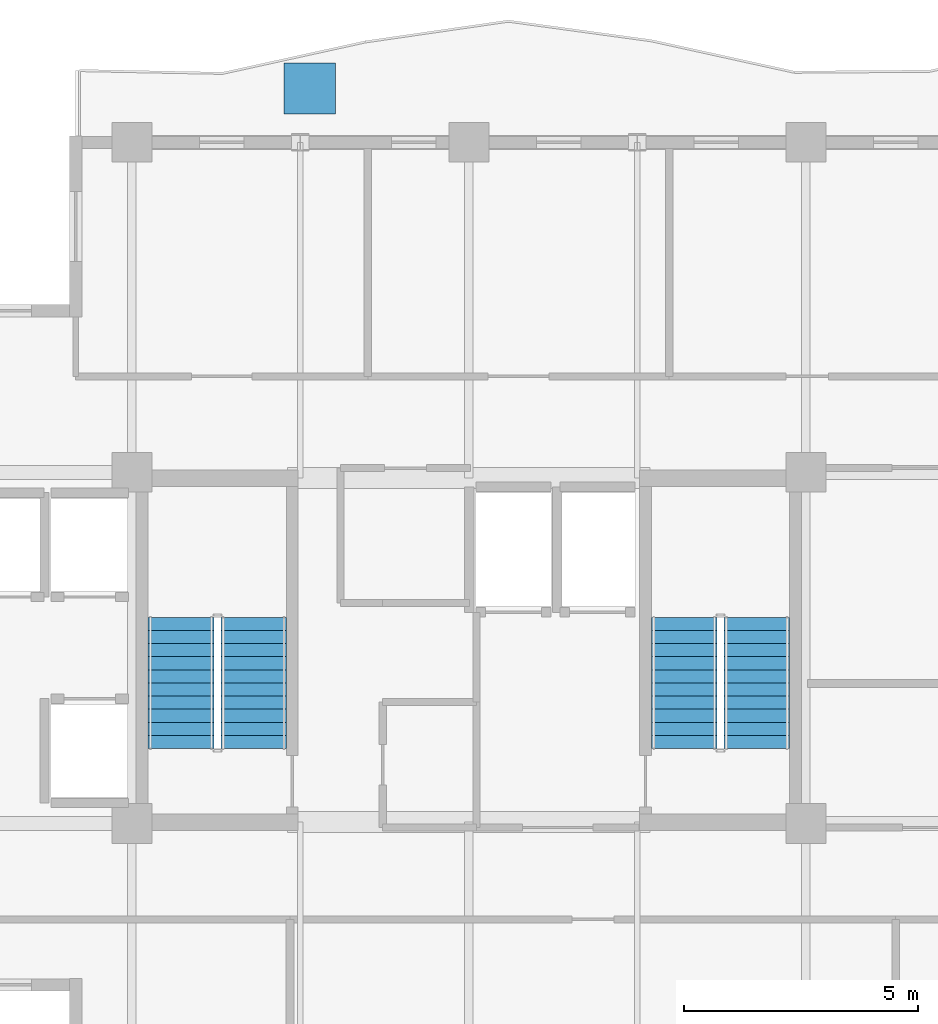
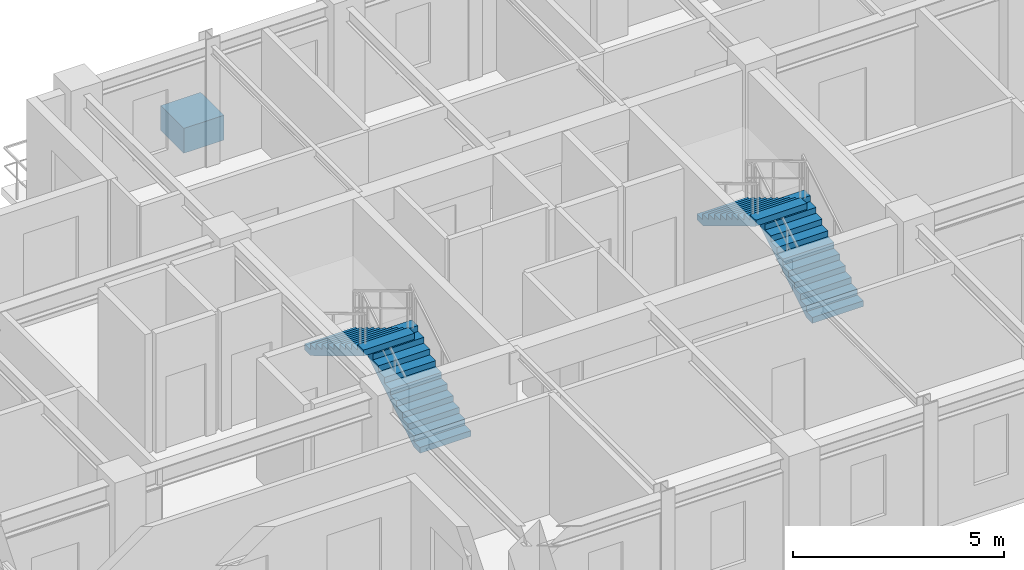
# One storey, part 9 of 10: 4 stair flights, 1 discrete accessory, 2 elements without a shape of their own.
"""IFC4 building model written with IfcOpenShell, lengths in metres."""

import ifcopenshell
import ifcopenshell.guid

model = None  # the IFC model being written
_history = None  # IfcOwnerHistory: only IFC2X3 demands one
_inside = {}  # id of a spatial element -> (the spatial element, [elements in it])
_under = {}  # id of a project, library or spatial element -> (it, [spatial elements below it])
_declared = {}  # id of a project -> (the project, [libraries it declares])
_typed = {}  # id of a type object -> (the type object, [elements of that type])
_made_of = {}  # id of a material, layer set ... -> (it, [elements and type objects made of it])


def new_model(schema):
    """Start an empty IFC model of exactly this schema.

    Asked for "IFC4X3", IfcOpenShell would pick the latest addendum, in which some entities
    have other attributes; the version numbers below select the first issue.
    IFC2X3 requires an IfcOwnerHistory on every rooted entity: one is made here for all.
    """
    global model, _history
    if schema == "IFC4X3":
        model = ifcopenshell.file(schema_version=(4, 3, 0, 0))
    else:
        model = ifcopenshell.file(schema=schema)
    _inside.clear()
    _under.clear()
    _declared.clear()
    _typed.clear()
    _made_of.clear()
    _history = None
    if model.schema == "IFC2X3":
        org = make("IfcOrganization", Name="unknown")
        user = make(
            "IfcPersonAndOrganization",
            ThePerson=make("IfcPerson", FamilyName="unknown"),
            TheOrganization=org,
        )
        app = make(
            "IfcApplication",
            ApplicationDeveloper=org,
            Version="unknown",
            ApplicationFullName="unknown",
            ApplicationIdentifier="unknown",
        )
        _history = make(
            "IfcOwnerHistory",
            OwningUser=user,
            OwningApplication=app,
            ChangeAction="ADDED",
            CreationDate=0,
        )
    return model


def make(cls, **values):
    """One entity of the class cls with the attributes given. An attribute that is None is left unset."""
    return model.create_entity(
        cls, **{name: value for name, value in values.items() if value is not None}
    )


def rooted(cls, **values):
    """An entity with a GlobalId (a new one), such as an element, a storey or a relation."""
    return make(cls, GlobalId=ifcopenshell.guid.new(), OwnerHistory=_history, **values)


def si_unit(unit_type, name, prefix=None):
    """IfcSIUnit, for example si_unit("LENGTHUNIT", "METRE", prefix="MILLI")."""
    return make("IfcSIUnit", UnitType=unit_type, Prefix=prefix, Name=name)


def assignment(units):
    """IfcUnitAssignment: the units of a project."""
    return None if units is None else make("IfcUnitAssignment", Units=units)


def point(xyz):
    """IfcCartesianPoint."""
    return None if xyz is None else make("IfcCartesianPoint", Coordinates=xyz)


def direction(xyz):
    """IfcDirection."""
    return None if xyz is None else make("IfcDirection", DirectionRatios=xyz)


def frame(location, z_axis=None, x_axis=None):
    """IfcAxis2Placement3D, a coordinate frame: its origin and axes. An axis left out is left unset."""
    return make(
        "IfcAxis2Placement3D",
        Location=point(location),
        Axis=direction(z_axis),
        RefDirection=direction(x_axis),
    )


def frame_2d(location, x_axis=None):
    """IfcAxis2Placement2D, a coordinate frame in the plane: its origin and x axis."""
    return make(
        "IfcAxis2Placement2D", Location=point(location), RefDirection=direction(x_axis)
    )


def origin():
    """The frame at (0, 0, 0) with its axes left unset."""
    return frame((0.0, 0.0, 0.0))


def origin_2d():
    """The frame at (0, 0) in the plane with its x axis left unset."""
    return frame_2d((0.0, 0.0))


def place(relative_to, where):
    """IfcLocalPlacement: puts the frame where relative to a parent placement (None: the world)."""
    return make(
        "IfcLocalPlacement", PlacementRelTo=relative_to, RelativePlacement=where
    )


def context(
    kind, dimensions, precision=None, world=None, true_north=None, identifier=None
):
    """IfcGeometricRepresentationContext, for example the 3D "Model" context."""
    return make(
        "IfcGeometricRepresentationContext",
        ContextIdentifier=identifier,
        ContextType=kind,
        CoordinateSpaceDimension=dimensions,
        Precision=precision,
        WorldCoordinateSystem=world,
        TrueNorth=true_north,
    )


def subcontext(parent, identifier, kind, view, scale=None):
    """IfcGeometricRepresentationSubContext, for example "Body" below "Model"."""
    return make(
        "IfcGeometricRepresentationSubContext",
        ContextIdentifier=identifier,
        ContextType=kind,
        ParentContext=parent,
        TargetScale=scale,
        TargetView=view,
    )


def project(units=None, contexts=None):
    """IfcProject with its units and contexts."""
    return rooted(
        "IfcProject",
        Name="project",
        RepresentationContexts=contexts,
        UnitsInContext=assignment(units),
    )


def spatial(cls, under=None, at=None, **own):
    """A site, building, storey or space (cls), placed at a placement, below another one or the project."""
    s = rooted(cls, ObjectPlacement=at, **own)
    if under is not None:
        _under.setdefault(under.id(), (under, []))[1].append(s)
    return s


def polyline(points):
    """IfcPolyline through the points."""
    return make("IfcPolyline", Points=[point(p) for p in points])


def profile(cls, at=None, kind="AREA", **sizes):
    """A parametric profile (cls). Its sizes go by their IFC names, for example OverallWidth=200.0."""
    return make(cls, ProfileType=kind, Position=at, **sizes)


def rectangle(**sizes):
    """IfcRectangleProfileDef."""
    return profile("IfcRectangleProfileDef", **sizes)


def outline(outer, holes=None, kind="AREA"):
    """IfcArbitraryClosedProfileDef: a profile drawn as a closed curve; with holes, ...WithVoids."""
    if holes is None:
        return make("IfcArbitraryClosedProfileDef", ProfileType=kind, OuterCurve=outer)
    return make(
        "IfcArbitraryProfileDefWithVoids",
        ProfileType=kind,
        OuterCurve=outer,
        InnerCurves=holes,
    )


def extrude(swept, where, along, depth):
    """IfcExtrudedAreaSolid: the profile swept, set in the frame where, extruded along a direction by depth."""
    return make(
        "IfcExtrudedAreaSolid",
        SweptArea=swept,
        Position=where,
        ExtrudedDirection=direction(along),
        Depth=depth,
    )


def shape(context_of_items, identifier, shape_type, items):
    """IfcShapeRepresentation: the items that make up one representation, for example the "Body"."""
    return make(
        "IfcShapeRepresentation",
        ContextOfItems=context_of_items,
        RepresentationIdentifier=identifier,
        RepresentationType=shape_type,
        Items=items,
    )


def source(mapping_origin, context_of_items, identifier, shape_type, items):
    """IfcRepresentationMap: a shape defined once, which mapped items show again and again."""
    return make(
        "IfcRepresentationMap",
        MappingOrigin=mapping_origin,
        MappedRepresentation=shape(context_of_items, identifier, shape_type, items),
    )


def transform(
    local_origin,
    x_axis=None,
    y_axis=None,
    z_axis=None,
    scale=None,
    scale2=None,
    scale3=None,
    uniform=True,
):
    """IfcCartesianTransformationOperator3D, or its non-uniform kind. x_axis, y_axis, z_axis: its Axis1, 2, 3."""
    if uniform:
        return make(
            "IfcCartesianTransformationOperator3D",
            Axis1=direction(x_axis),
            Axis2=direction(y_axis),
            LocalOrigin=point(local_origin),
            Scale=scale,
            Axis3=direction(z_axis),
        )
    return make(
        "IfcCartesianTransformationOperator3DnonUniform",
        Axis1=direction(x_axis),
        Axis2=direction(y_axis),
        LocalOrigin=point(local_origin),
        Scale=scale,
        Axis3=direction(z_axis),
        Scale2=scale2,
        Scale3=scale3,
    )


def mapped(mapping_source, mapping_target):
    """IfcMappedItem: shows the shape of a source again, moved by a transform."""
    return make(
        "IfcMappedItem", MappingSource=mapping_source, MappingTarget=mapping_target
    )


def material(Name=None, Category=None):
    """IfcMaterial."""
    return make("IfcMaterial", Name=Name, Category=Category)


def made_of(thing, what):
    """Note that an element or type object is made of a material, layer set ...; save() writes the relation."""
    if what is not None:
        _made_of.setdefault(what.id(), (what, []))[1].append(thing)
    return thing


def type_object(cls, material=None, **own):
    """A type object (cls), such as IfcWallType, which elements share."""
    return made_of(rooted(cls, **own), material)


def element(
    cls,
    number,
    at=None,
    inside=None,
    cuts=None,
    type_object=None,
    material=None,
    context=None,
    identifier="Body",
    shape_type=None,
    held_by="IfcProductDefinitionShape",
    body=None,
    shapes=None,
    **own,
):
    """One element of the class cls, such as IfcWall. Its Tag is "e" and its number.

    at: its placement. inside: the storey or other place that contains it. cuts: it is an
    opening in that element (IfcRelVoidsElement). A single representation is given by context,
    identifier, shape_type and body (its items); several are given by shapes. held_by: the class
    of the entity that holds the representations. save() writes the other relations.
    """
    e = rooted(cls, Tag="e%d" % number, ObjectPlacement=at, **own)
    if body is not None:
        shapes = [shape(context, identifier, shape_type, body)]
    if shapes is not None:
        e.Representation = make(held_by, Representations=shapes)
    if inside is not None:
        _inside.setdefault(inside.id(), (inside, []))[1].append(e)
    if cuts is not None:
        rooted(
            "IfcRelVoidsElement", RelatingBuildingElement=cuts, RelatedOpeningElement=e
        )
    if type_object is not None:
        _typed.setdefault(type_object.id(), (type_object, []))[1].append(e)
    return made_of(e, material)


def aggregate(whole, parts):
    """IfcRelAggregates: a whole, such as a stair, and the parts it consists of."""
    return rooted("IfcRelAggregates", RelatingObject=whole, RelatedObjects=parts)


def save(model, path):
    """Write the relations noted so far, then the file.

    IfcRelAggregates (storeys below a building ...), IfcRelContainedInSpatialStructure (elements
    in a storey), IfcRelDefinesByType, IfcRelAssociatesMaterial and IfcRelDeclares: one each for
    every whole, place, type object, material and project.
    """
    for whole, parts in _under.values():
        aggregate(whole, parts)
    for where, things in _inside.values():
        rooted(
            "IfcRelContainedInSpatialStructure",
            RelatedElements=things,
            RelatingStructure=where,
        )
    for kind, things in _typed.values():
        rooted("IfcRelDefinesByType", RelatedObjects=things, RelatingType=kind)
    for what, things in _made_of.values():
        rooted("IfcRelAssociatesMaterial", RelatedObjects=things, RelatingMaterial=what)
    for by, libraries in _declared.values():
        rooted("IfcRelDeclares", RelatingContext=by, RelatedDefinitions=libraries)
    model.write(path)


model = new_model("IFC4")

# Units and contexts
model_context = context("Model", 3, precision=1e-05, world=origin(), true_north=direction((0.0, 1.0)))
body_context = subcontext(model_context, "Body", "Model", "MODEL_VIEW")
ifc_project = project(units=[si_unit("LENGTHUNIT", "METRE"), si_unit("AREAUNIT", "SQUARE_METRE"), si_unit("VOLUMEUNIT", "CUBIC_METRE"), si_unit("PLANEANGLEUNIT", "RADIAN"), si_unit("MASSUNIT", "GRAM", prefix="KILO")], contexts=[model_context])

# Site, building, storey
site_placement = place(None, origin())
site = spatial("IfcSite", under=ifc_project, at=site_placement, CompositionType="ELEMENT")
building_placement = place(site_placement, origin())
building = spatial("IfcBuilding", under=site, at=building_placement, Name="Kaliganga Portal Commons", CompositionType="ELEMENT")
storey_placement = place(building_placement, frame((0.0, 0.0, 290.60009765625)))
storey = spatial("IfcBuildingStorey", under=building, at=storey_placement, Name="L75", CompositionType="ELEMENT", Elevation=290.60009765625)

# Stair, stair flights
ifc_material_1 = material(Name="Concrete C40/50", Category="concrete")
stair_type = type_object("IfcStairType", Name="ST-CORE-DOGLEG", PredefinedType="HALF_TURN_STAIR", material=ifc_material_1)
stair_1_placement = place(storey_placement, origin())
stair_1 = element("IfcStair", 1, at=stair_1_placement, inside=storey, type_object=stair_type, Name="L75 Protected Exit Stair ST-A1", PredefinedType="HALF_TURN_STAIR")
stair_flight_type = type_object("IfcStairFlightType", Name="STF-RC-1400", PredefinedType="STRAIGHT", material=ifc_material_1)
stair_flight_1_placement = place(storey_placement, frame((17.0, 30.25, 0.0), z_axis=(0.0, 0.0, 1.0), x_axis=(0.0, 1.0, 0.0)))
stair_flight_1 = element("IfcStairFlight", 2, at=stair_flight_1_placement, type_object=stair_flight_type, Name="ST-A1 flight 1", NumberOfRisers=11, NumberOfTreads=10, PredefinedType="STRAIGHT", RiserHeight=0.168181818, TreadLength=0.28, context=body_context, shape_type="SweptSolid", body=[
    extrude(outline(polyline([(0.0, 0.0), (0.0, 0.168212890625), (0.280029296875, 0.168212890625), (0.280029296875, 0.33642578125), (0.56005859375, 0.33642578125), (0.56005859375, 0.504638671875), (0.840087890625, 0.504638671875), (0.840087890625, 0.672607421875), (1.1201171875, 0.672607421875), (1.1201171875, 0.8408203125), (1.39990234375, 0.8408203125), (1.39990234375, 1.009033203125), (1.679931640625, 1.009033203125), (1.679931640625, 1.17724609375), (1.9599609375, 1.17724609375), (1.9599609375, 1.345458984375), (2.239990234375, 1.345458984375), (2.239990234375, 1.513671875), (2.52001953125, 1.513671875), (2.52001953125, 1.681884765625), (2.800048828125, 1.681884765625), (2.800048828125, 1.85009765625), (2.800048828125, 1.5068359375), (0.291015625, 0.0), (0.0, 0.0)])), frame((0.0, 0.699951171875, 0.0), z_axis=(0.0, -1.0, 0.0), x_axis=(1.0, 0.0, 0.0)), (0.0, 0.0, 1.0), 1.39990234375),
])
stair_flight_2_placement = place(storey_placement, frame((15.449951171875, 33.050048828125, 1.849853515625), z_axis=(0.0, 0.0, 1.0), x_axis=(0.0, -1.0, 0.0)))
stair_flight_2 = element("IfcStairFlight", 3, at=stair_flight_2_placement, type_object=stair_flight_type, Name="ST-A1 flight 2", NumberOfRisers=11, NumberOfTreads=10, PredefinedType="STRAIGHT", RiserHeight=0.168181818, TreadLength=0.28, context=body_context, shape_type="SweptSolid", body=[
    extrude(outline(polyline([(0.0, 0.0), (0.0, 0.168212890625), (0.280029296875, 0.168212890625), (0.280029296875, 0.33642578125), (0.56005859375, 0.33642578125), (0.56005859375, 0.504638671875), (0.840087890625, 0.504638671875), (0.840087890625, 0.672607421875), (1.1201171875, 0.672607421875), (1.1201171875, 0.8408203125), (1.39990234375, 0.8408203125), (1.39990234375, 1.009033203125), (1.679931640625, 1.009033203125), (1.679931640625, 1.17724609375), (1.9599609375, 1.17724609375), (1.9599609375, 1.345458984375), (2.239990234375, 1.345458984375), (2.239990234375, 1.513671875), (2.52001953125, 1.513671875), (2.52001953125, 1.681884765625), (2.800048828125, 1.681884765625), (2.800048828125, 1.85009765625), (2.800048828125, 1.5068359375), (0.291015625, 0.0), (0.0, 0.0)])), frame((0.0, 0.699951171875, 0.0), z_axis=(0.0, -1.0, 0.0), x_axis=(1.0, 0.0, 0.0)), (0.0, 0.0, 1.0), 1.39990234375),
])
aggregate(stair_1, [stair_flight_1, stair_flight_2])

stair_2_placement = place(storey_placement, origin())
stair_2 = element("IfcStair", 4, at=stair_2_placement, inside=storey, type_object=stair_type, Name="L75 Protected Exit Stair ST-A2", PredefinedType="HALF_TURN_STAIR")
stair_flight_3_placement = place(storey_placement, frame((27.75, 30.25, 0.0), z_axis=(0.0, 0.0, 1.0), x_axis=(0.0, 1.0, 0.0)))
stair_flight_3 = element("IfcStairFlight", 5, at=stair_flight_3_placement, type_object=stair_flight_type, Name="ST-A2 flight 1", NumberOfRisers=11, NumberOfTreads=10, PredefinedType="STRAIGHT", RiserHeight=0.168181818, TreadLength=0.28, context=body_context, shape_type="SweptSolid", body=[
    extrude(outline(polyline([(0.0, 0.0), (0.0, 0.168212890625), (0.280029296875, 0.168212890625), (0.280029296875, 0.33642578125), (0.56005859375, 0.33642578125), (0.56005859375, 0.504638671875), (0.840087890625, 0.504638671875), (0.840087890625, 0.672607421875), (1.1201171875, 0.672607421875), (1.1201171875, 0.8408203125), (1.39990234375, 0.8408203125), (1.39990234375, 1.009033203125), (1.679931640625, 1.009033203125), (1.679931640625, 1.17724609375), (1.9599609375, 1.17724609375), (1.9599609375, 1.345458984375), (2.239990234375, 1.345458984375), (2.239990234375, 1.513671875), (2.52001953125, 1.513671875), (2.52001953125, 1.681884765625), (2.800048828125, 1.681884765625), (2.800048828125, 1.85009765625), (2.800048828125, 1.5068359375), (0.291015625, 0.0), (0.0, 0.0)])), frame((0.0, 0.699951171875, 0.0), z_axis=(0.0, -1.0, 0.0), x_axis=(1.0, 0.0, 0.0)), (0.0, 0.0, 1.0), 1.39990234375),
])
stair_flight_4_placement = place(storey_placement, frame((26.199951171875, 33.050048828125, 1.849853515625), z_axis=(0.0, 0.0, 1.0), x_axis=(0.0, -1.0, 0.0)))
stair_flight_4 = element("IfcStairFlight", 6, at=stair_flight_4_placement, type_object=stair_flight_type, Name="ST-A2 flight 2", NumberOfRisers=11, NumberOfTreads=10, PredefinedType="STRAIGHT", RiserHeight=0.168181818, TreadLength=0.28, context=body_context, shape_type="SweptSolid", body=[
    extrude(outline(polyline([(0.0, 0.0), (0.0, 0.168212890625), (0.280029296875, 0.168212890625), (0.280029296875, 0.33642578125), (0.56005859375, 0.33642578125), (0.56005859375, 0.504638671875), (0.840087890625, 0.504638671875), (0.840087890625, 0.672607421875), (1.1201171875, 0.672607421875), (1.1201171875, 0.8408203125), (1.39990234375, 0.8408203125), (1.39990234375, 1.009033203125), (1.679931640625, 1.009033203125), (1.679931640625, 1.17724609375), (1.9599609375, 1.17724609375), (1.9599609375, 1.345458984375), (2.239990234375, 1.345458984375), (2.239990234375, 1.513671875), (2.52001953125, 1.513671875), (2.52001953125, 1.681884765625), (2.800048828125, 1.681884765625), (2.800048828125, 1.85009765625), (2.800048828125, 1.5068359375), (0.291015625, 0.0), (0.0, 0.0)])), frame((0.0, 0.699951171875, 0.0), z_axis=(0.0, -1.0, 0.0), x_axis=(1.0, 0.0, 0.0)), (0.0, 0.0, 1.0), 1.39990234375),
])
aggregate(stair_2, [stair_flight_3, stair_flight_4])

# Discrete accessory
ifc_material_2 = material(Name="Precast concrete C40/50", Category="concrete")
discrete_accessory_type = type_object("IfcDiscreteAccessoryType", Name="DAC-PLANTER-RC", PredefinedType="USERDEFINED", material=ifc_material_2)
shared_shape = source(origin(), body_context, "Body", "SweptSolid", [
    extrude(rectangle(XDim=1.10009765625, YDim=1.10009765625, at=origin_2d()), origin(), (0.0, 0.0, 1.0), 0.719970703125),
])
discrete_accessory_placement = place(storey_placement, frame((18.199951171875, 44.35009765625, 0.0), z_axis=(0.0, 0.0, 1.0), x_axis=(1.0, 0.0, 0.0)))
element("IfcDiscreteAccessory", 7, at=discrete_accessory_placement, inside=storey, type_object=discrete_accessory_type, Name="Structural Tree Planter L75 balc_north", ObjectType="PLANTER", PredefinedType="USERDEFINED", context=body_context, shape_type="MappedRepresentation", body=[
    mapped(shared_shape, transform((0.0, 0.0, 0.0), x_axis=(1.0, 0.0, 0.0), y_axis=(0.0, 1.0, 0.0), z_axis=(0.0, 0.0, 1.0), scale=1.0)),
])

save(model, "model.ifc")
